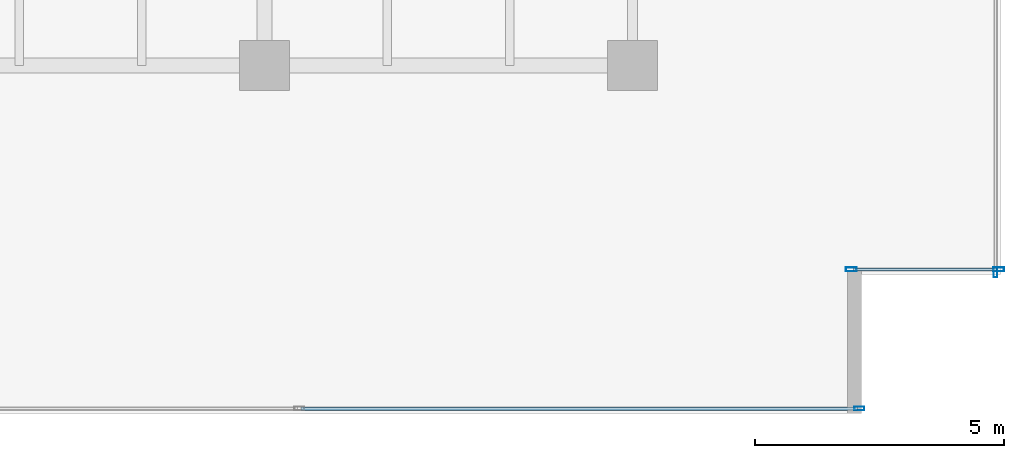
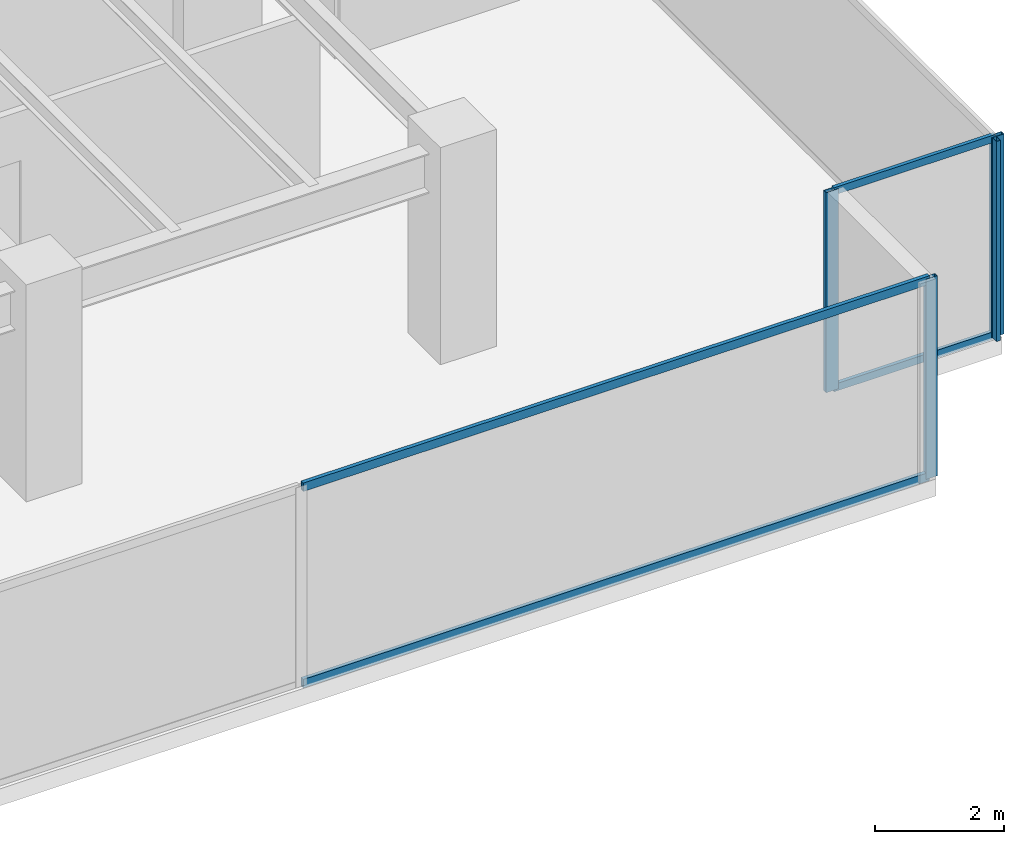
# One storey, part 23 of 35: 8 members, 3 elements without a shape of their own.
"""IFC4 building model written with IfcOpenShell, lengths in metres."""

from ifc_helpers import new_model, si_unit, direction, frame, origin, origin_2d, place, context, subcontext, project, spatial, hollow_rectangle, extrude, source, transform, mapped, material, layer, layer_set, material_profile, profile_set, type_object, type_shapes, element, aggregate, save


model = new_model("IFC4")

# Units and contexts
model_context = context("Model", 3, precision=1e-05, world=origin(), true_north=direction((0.0, 1.0)))
body_context = subcontext(model_context, "Body", "Model", "MODEL_VIEW")
ifc_project = project(units=[si_unit("LENGTHUNIT", "METRE"), si_unit("AREAUNIT", "SQUARE_METRE"), si_unit("VOLUMEUNIT", "CUBIC_METRE"), si_unit("PLANEANGLEUNIT", "RADIAN"), si_unit("MASSUNIT", "GRAM", prefix="KILO")], contexts=[model_context])

# Site, building, storey
site_placement = place(None, origin())
site = spatial("IfcSite", under=ifc_project, at=site_placement, CompositionType="ELEMENT")
building_placement = place(site_placement, origin())
building = spatial("IfcBuilding", under=site, at=building_placement, Name="Haelvirn Gate Laboratories", CompositionType="ELEMENT")
storey_placement = place(building_placement, frame((0.0, 0.0, 66.199951171875)))
storey = spatial("IfcBuildingStorey", under=building, at=storey_placement, Name="L16", CompositionType="ELEMENT", Elevation=66.199951171875)

# Curtain wall, member
ifc_material_1 = material(Name="Anodised bronze unitised aluminium & triple low-E glass", Category="aluminium")
ifc_layer_1 = layer(ifc_material_1, 0.18408203125, Name="CW-SYS-2")
ifc_layer_set_1 = layer_set([ifc_layer_1], Name="Anodised bronze unitised aluminium & triple low-E glass")
curtain_wall_type_1 = type_object("IfcCurtainWallType", Name="CW-SYS-2", PredefinedType="NOTDEFINED", material=ifc_layer_set_1)
curtain_wall_1_placement = place(storey_placement, origin())
curtain_wall_1 = element("IfcCurtainWall", 1, at=curtain_wall_1_placement, inside=storey, type_object=curtain_wall_type_1, Name="L16 Unitised Curtain Wall CW-L16-P0-E04-1", PredefinedType="NOTDEFINED")
ifc_material_2 = material(Name="Extruded aluminium 6063-T6 (anodised bronze)", Category="aluminium")
ifc_material_profile_1 = material_profile(ifc_material_2, hollow_rectangle(XDim=0.074951171875, YDim=0.199951171875, WallThickness=0.0048828125, at=origin_2d()), Name="CWM-200x75x5")
ifc_profile_set_1 = profile_set([ifc_material_profile_1], Name="Extruded aluminium 6063-T6 (anodised bronze)")
member_type_1 = type_object("IfcMemberType", Name="CWM-T200", PredefinedType="MULLION", material=ifc_profile_set_1)
shared_shape_1 = source(origin(), body_context, "Body", "SweptSolid", [
    extrude(hollow_rectangle(XDim=0.074951171875, YDim=0.199951171875, WallThickness=0.0048828125, at=origin_2d()), origin(), (0.0, 0.0, 1.0), 3.780029296875),
])
type_shapes(member_type_1, [shared_shape_1])
member_1_placement = place(storey_placement, frame((71.96240234375, 0.10009765625, 0.0), z_axis=(0.0, 0.0, 1.0), x_axis=(0.0, 1.0, 0.0)))
member_1 = element("IfcMember", 2, at=member_1_placement, type_object=member_type_1, Name="CW2 mullion 3", PredefinedType="MULLION", context=body_context, shape_type="MappedRepresentation", body=[
    mapped(shared_shape_1, transform((0.0, 0.0, 0.0), scale=1.0)),
])

curtain_wall_2_placement = place(storey_placement, origin())
curtain_wall_2 = element("IfcCurtainWall", 3, at=curtain_wall_2_placement, inside=storey, type_object=curtain_wall_type_1, Name="L16 Unitised Curtain Wall CW-L16-P0-E07", PredefinedType="NOTDEFINED")
member_2_placement = place(storey_placement, frame((74.699951171875, 2.83740234375, 0.0), z_axis=(0.0, 0.0, 1.0), x_axis=(-1.0, 0.0, 0.0)))
member_2 = element("IfcMember", 4, at=member_2_placement, type_object=member_type_1, Name="CW2 mullion 1", PredefinedType="MULLION", context=body_context, shape_type="MappedRepresentation", body=[
    mapped(shared_shape_1, transform((0.0, 0.0, 0.0), scale=1.0)),
])
aggregate(curtain_wall_2, [member_2])

# Member
ifc_material_profile_2 = material_profile(ifc_material_2, hollow_rectangle(XDim=0.070068359375, YDim=0.159912109375, WallThickness=0.0048828125, at=origin_2d()), Name="CWT-160x70x5")
ifc_profile_set_2 = profile_set([ifc_material_profile_2], Name="Extruded aluminium 6063-T6 (anodised bronze)")
member_type_2 = type_object("IfcMemberType", Name="CWT-T160", PredefinedType="USERDEFINED", material=ifc_profile_set_2)
shared_shape_2 = source(origin(), body_context, "Body", "SweptSolid", [
    extrude(hollow_rectangle(XDim=0.070068359375, YDim=0.159912109375, WallThickness=0.0048828125, at=origin_2d()), origin(), (0.0, 0.0, 1.0), 11.1875),
])
type_shapes(member_type_2, [shared_shape_2])
member_3_placement = place(storey_placement, frame((60.737548828125, 0.10009765625, 0.03515625), z_axis=(1.0, 0.0, 0.0), x_axis=(0.0, 1.0, 0.0)))
member_3 = element("IfcMember", 5, at=member_3_placement, type_object=member_type_2, Name="CW2 transom 2.1", ObjectType="TRANSOM", PredefinedType="USERDEFINED", context=body_context, shape_type="MappedRepresentation", body=[
    mapped(shared_shape_2, transform((0.0, 0.0, 0.0), scale=1.0)),
])

member_4_placement = place(storey_placement, frame((60.737548828125, 0.10009765625, 3.7451171875), z_axis=(1.0, 0.0, 0.0), x_axis=(0.0, 1.0, 0.0)))
member_4 = element("IfcMember", 6, at=member_4_placement, type_object=member_type_2, Name="CW2 transom 2.2", ObjectType="TRANSOM", PredefinedType="USERDEFINED", context=body_context, shape_type="MappedRepresentation", body=[
    mapped(shared_shape_2, transform((0.0, 0.0, 0.0), scale=1.0)),
])

aggregate(curtain_wall_1, [member_1, member_3, member_4])

# Curtain wall, members
ifc_layer_2 = layer(ifc_material_1, 0.181884765625, Name="CW-SYS-5")
ifc_layer_set_2 = layer_set([ifc_layer_2], Name="Anodised bronze unitised aluminium & triple low-E glass")
curtain_wall_type_2 = type_object("IfcCurtainWallType", Name="CW-SYS-5", PredefinedType="NOTDEFINED", material=ifc_layer_set_2)
curtain_wall_3_placement = place(storey_placement, origin())
curtain_wall_3 = element("IfcCurtainWall", 7, at=curtain_wall_3_placement, inside=storey, type_object=curtain_wall_type_2, Name="L16 Unitised Curtain Wall CW-L16-P0-E06-1", PredefinedType="NOTDEFINED")
ifc_material_profile_3 = material_profile(ifc_material_2, hollow_rectangle(XDim=0.080078125, YDim=0.219970703125, WallThickness=0.006103515625, at=origin_2d()), Name="CWM-220x80x6")
ifc_profile_set_3 = profile_set([ifc_material_profile_3], Name="Extruded aluminium 6063-T6 (anodised bronze)")
member_type_3 = type_object("IfcMemberType", Name="CWM-T220", PredefinedType="MULLION", material=ifc_profile_set_3)
shared_shape_3 = source(origin(), body_context, "Body", "SweptSolid", [
    extrude(hollow_rectangle(XDim=0.080078125, YDim=0.219970703125, WallThickness=0.006103515625, at=origin_2d()), origin(), (0.0, 0.0, 1.0), 3.780029296875),
])
type_shapes(member_type_3, [shared_shape_3])
member_5_placement = place(storey_placement, frame((71.800048828125, 2.89990234375, 0.0), z_axis=(0.0, 0.0, 1.0), x_axis=(0.0, 1.0, 0.0)))
member_5 = element("IfcMember", 8, at=member_5_placement, type_object=member_type_3, Name="CW5 mullion 1", PredefinedType="MULLION", context=body_context, shape_type="MappedRepresentation", body=[
    mapped(shared_shape_3, transform((0.0, 0.0, 0.0), scale=1.0)),
])
member_6_placement = place(storey_placement, frame((74.760009765625, 2.89990234375, 0.0), z_axis=(0.0, 0.0, 1.0), x_axis=(0.0, 1.0, 0.0)))
member_6 = element("IfcMember", 9, at=member_6_placement, type_object=member_type_3, Name="CW5 mullion 2", PredefinedType="MULLION", context=body_context, shape_type="MappedRepresentation", body=[
    mapped(shared_shape_3, transform((0.0, 0.0, 0.0), scale=1.0)),
])
ifc_material_profile_4 = material_profile(ifc_material_2, hollow_rectangle(XDim=0.06494140625, YDim=0.139892578125, WallThickness=0.00390625, at=origin_2d()), Name="CWT-140x65x4")
ifc_profile_set_4 = profile_set([ifc_material_profile_4], Name="Extruded aluminium 6063-T6 (anodised bronze)")
member_type_4 = type_object("IfcMemberType", Name="CWT-T140", PredefinedType="USERDEFINED", material=ifc_profile_set_4)
shared_shape_4 = source(origin(), body_context, "Body", "SweptSolid", [
    extrude(hollow_rectangle(XDim=0.06494140625, YDim=0.139892578125, WallThickness=0.00390625, at=origin_2d()), origin(), (0.0, 0.0, 1.0), 2.8798828125),
])
type_shapes(member_type_4, [shared_shape_4])
member_7_placement = place(storey_placement, frame((71.840087890625, 2.89990234375, 0.032470703125), z_axis=(1.0, 0.0, 0.0), x_axis=(0.0, 1.0, 0.0)))
member_7 = element("IfcMember", 10, at=member_7_placement, type_object=member_type_4, Name="CW5 transom 1.1", ObjectType="TRANSOM", PredefinedType="USERDEFINED", context=body_context, shape_type="MappedRepresentation", body=[
    mapped(shared_shape_4, transform((0.0, 0.0, 0.0), scale=1.0)),
])
member_8_placement = place(storey_placement, frame((71.840087890625, 2.89990234375, 3.74755859375), z_axis=(1.0, 0.0, 0.0), x_axis=(0.0, 1.0, 0.0)))
member_8 = element("IfcMember", 11, at=member_8_placement, type_object=member_type_4, Name="CW5 transom 1.2", ObjectType="TRANSOM", PredefinedType="USERDEFINED", context=body_context, shape_type="MappedRepresentation", body=[
    mapped(shared_shape_4, transform((0.0, 0.0, 0.0), scale=1.0)),
])
aggregate(curtain_wall_3, [member_5, member_6, member_7, member_8])

save(model, "model.ifc")
